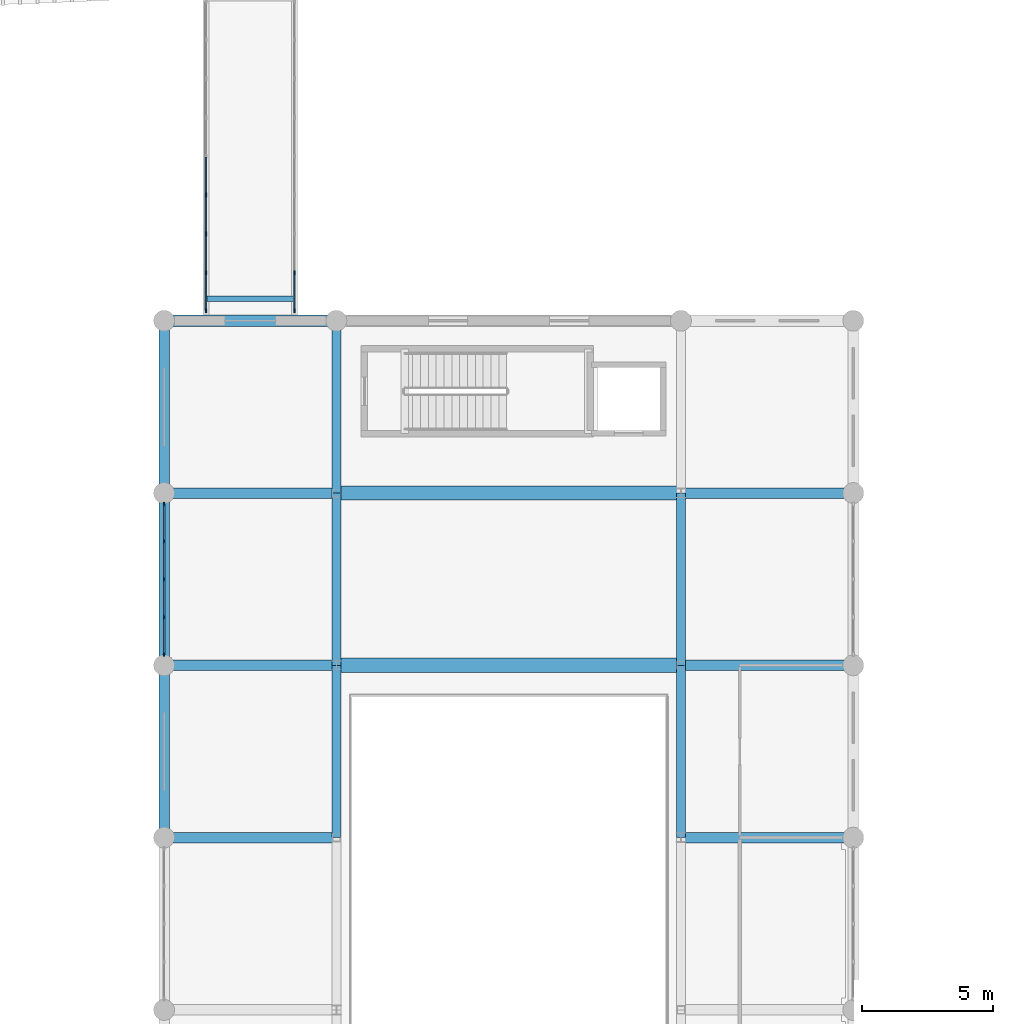
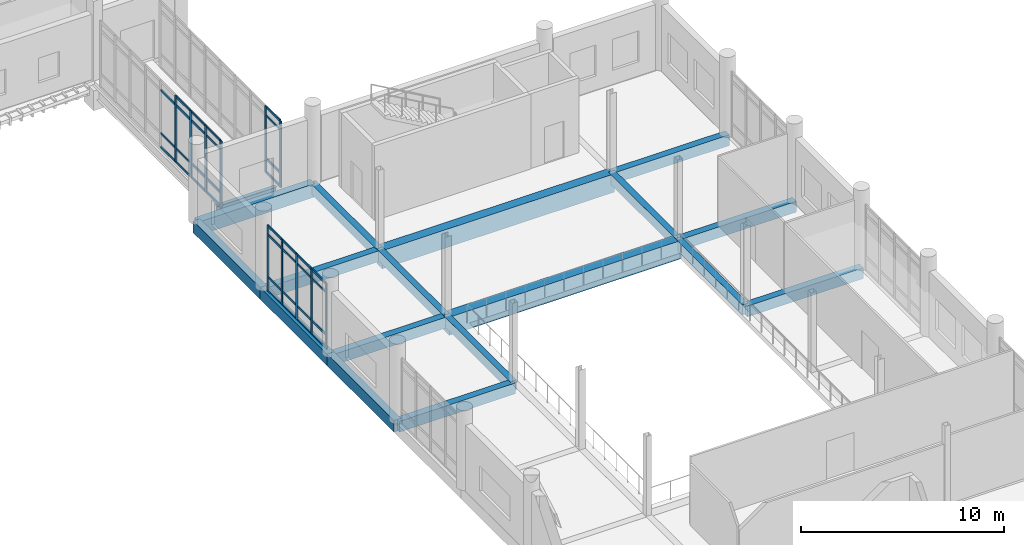
# One storey, part 23 of 101: 46 members, 18 beams, 3 elements without a shape of their own.
"""IFC4 building model written with IfcOpenShell, lengths in metres."""

from ifc_helpers import new_model, si_unit, direction, frame, origin, origin_2d, place, context, subcontext, project, spatial, rectangle, i_section, extrude, material, material_profile, profile_set, type_object, element, aggregate, save


model = new_model("IFC4")

# Units and contexts
model_context = context("Model", 3, precision=1e-05, world=origin(), true_north=direction((0.0, 1.0)))
body_context = subcontext(model_context, "Body", "Model", "MODEL_VIEW")
ifc_project = project(units=[si_unit("LENGTHUNIT", "METRE"), si_unit("AREAUNIT", "SQUARE_METRE"), si_unit("VOLUMEUNIT", "CUBIC_METRE"), si_unit("PLANEANGLEUNIT", "RADIAN"), si_unit("MASSUNIT", "GRAM", prefix="KILO")], contexts=[model_context])

# Site, building, storey
site_placement = place(None, origin())
site = spatial("IfcSite", under=ifc_project, at=site_placement, CompositionType="ELEMENT")
building_placement = place(site_placement, origin())
building = spatial("IfcBuilding", under=site, at=building_placement, Name="Dornvale Research Institute", CompositionType="ELEMENT")
storey_placement = place(building_placement, frame((0.0, 0.0, 10.199951171875)))
storey = spatial("IfcBuildingStorey", under=building, at=storey_placement, Name="L02", CompositionType="ELEMENT", Elevation=10.199951171875)

# Beams
ifc_material_1 = material(Name="Concrete f'c 45 MPa (C35/45)", Category="concrete")
ifc_material_profile_1 = material_profile(ifc_material_1, rectangle(XDim=0.35009765625, YDim=0.60009765625, at=origin_2d()), Name="RC 350x600")
ifc_profile_set_1 = profile_set([ifc_material_profile_1], Name="Concrete f'c 45 MPa (C35/45)")
beam_type_1 = type_object("IfcBeamType", Name="Beam_RC350x600_Floor", PredefinedType="BEAM", material=ifc_profile_set_1)
beam_1_placement = place(storey_placement, frame((46.199951171875, 66.0, -0.300048828125), z_axis=(0.0, 1.0, 0.0), x_axis=(-1.0, 0.0, 0.0)))
element("IfcBeam", 1, at=beam_1_placement, inside=storey, type_object=beam_type_1, Name="L02 transverse girder #816", PredefinedType="BEAM", context=body_context, shape_type="SweptSolid", body=[
    extrude(rectangle(XDim=0.35009765625, YDim=0.60009765625, at=origin_2d()), origin(), (0.0, 0.0, 1.0), 6.60009765625),
])
beam_2_placement = place(storey_placement, frame((46.199951171875, 72.60009765625, -0.300048828125), z_axis=(0.0, 1.0, 0.0), x_axis=(-1.0, 0.0, 0.0)))
element("IfcBeam", 2, at=beam_2_placement, inside=storey, type_object=beam_type_1, Name="L02 transverse girder #817", PredefinedType="BEAM", context=body_context, shape_type="SweptSolid", body=[
    extrude(rectangle(XDim=0.35009765625, YDim=0.60009765625, at=origin_2d()), origin(), (0.0, 0.0, 1.0), 6.599853515625),
])
for number, where, z_axis, x_axis, name in (
    (3, (46.199951171875, 79.199951171875, -0.300048828125), (0.0, 1.0, 0.0), (-1.0, 0.0, 0.0), "L02 transverse girder #818"),
    (4, (59.39990234375, 66.0, -0.300048828125), (0.0, 1.0, 0.0), (-1.0, 0.0, 0.0), "L02 transverse girder #823"),
):
    element("IfcBeam", number, at=place(storey_placement, frame(where, z_axis=z_axis, x_axis=x_axis)), inside=storey, type_object=beam_type_1, Name=name, PredefinedType="BEAM", context=body_context, shape_type="SweptSolid", body=[
        extrude(rectangle(XDim=0.35009765625, YDim=0.60009765625, at=origin_2d()), origin(), (0.0, 0.0, 1.0), 6.60009765625),
    ])
beam_3_placement = place(storey_placement, frame((59.39990234375, 72.60009765625, -0.300048828125), z_axis=(0.0, 1.0, 0.0), x_axis=(-1.0, 0.0, 0.0)))
element("IfcBeam", 5, at=beam_3_placement, inside=storey, type_object=beam_type_1, Name="L02 transverse girder #824", PredefinedType="BEAM", context=body_context, shape_type="SweptSolid", body=[
    extrude(rectangle(XDim=0.35009765625, YDim=0.60009765625, at=origin_2d()), origin(), (0.0, 0.0, 1.0), 6.599853515625),
])
ifc_material_2 = material(Name="Concrete f'c 45 MPa (C35/45)", Category="concrete")
ifc_material_profile_2 = material_profile(ifc_material_2, rectangle(XDim=0.39990234375, YDim=0.64990234375, at=origin_2d()), Name="RC 400x650")
ifc_profile_set_2 = profile_set([ifc_material_profile_2], Name="Concrete f'c 45 MPa (C35/45)")
beam_type_2 = type_object("IfcBeamType", Name="Beam_RC400x650_Floor", PredefinedType="BEAM", material=ifc_profile_set_2)
beam_4_placement = place(storey_placement, frame((39.60009765625, 66.0, -0.324951171875), z_axis=(1.0, 0.0, 0.0), x_axis=(0.0, 1.0, 0.0)))
element("IfcBeam", 6, at=beam_4_placement, inside=storey, type_object=beam_type_2, Name="L02 primary girder #794", PredefinedType="BEAM", context=body_context, shape_type="SweptSolid", body=[
    extrude(rectangle(XDim=0.39990234375, YDim=0.64990234375, at=origin_2d()), origin(), (0.0, 0.0, 1.0), 6.599853515625),
])
beam_5_placement = place(storey_placement, frame((59.39990234375, 66.0, -0.324951171875), z_axis=(1.0, 0.0, 0.0), x_axis=(0.0, 1.0, 0.0)))
element("IfcBeam", 7, at=beam_5_placement, inside=storey, type_object=beam_type_2, Name="L02 primary girder #795", PredefinedType="BEAM", context=body_context, shape_type="SweptSolid", body=[
    extrude(rectangle(XDim=0.39990234375, YDim=0.64990234375, at=origin_2d()), origin(), (0.0, 0.0, 1.0), 6.60009765625),
])
beam_6_placement = place(storey_placement, frame((39.60009765625, 72.60009765625, -0.324951171875), z_axis=(1.0, 0.0, 0.0), x_axis=(0.0, 1.0, 0.0)))
element("IfcBeam", 8, at=beam_6_placement, inside=storey, type_object=beam_type_2, Name="L02 primary girder #796", PredefinedType="BEAM", context=body_context, shape_type="SweptSolid", body=[
    extrude(rectangle(XDim=0.39990234375, YDim=0.64990234375, at=origin_2d()), origin(), (0.0, 0.0, 1.0), 6.599853515625),
])
beam_7_placement = place(storey_placement, frame((59.39990234375, 72.60009765625, -0.324951171875), z_axis=(1.0, 0.0, 0.0), x_axis=(0.0, 1.0, 0.0)))
element("IfcBeam", 9, at=beam_7_placement, inside=storey, type_object=beam_type_2, Name="L02 primary girder #798", PredefinedType="BEAM", context=body_context, shape_type="SweptSolid", body=[
    extrude(rectangle(XDim=0.39990234375, YDim=0.64990234375, at=origin_2d()), origin(), (0.0, 0.0, 1.0), 6.60009765625),
])
beam_8_placement = place(storey_placement, frame((39.60009765625, 79.199951171875, -0.324951171875), z_axis=(1.0, 0.0, 0.0), x_axis=(0.0, 1.0, 0.0)))
element("IfcBeam", 10, at=beam_8_placement, inside=storey, type_object=beam_type_2, Name="L02 primary girder #799", PredefinedType="BEAM", context=body_context, shape_type="SweptSolid", body=[
    extrude(rectangle(XDim=0.39990234375, YDim=0.64990234375, at=origin_2d()), origin(), (0.0, 0.0, 1.0), 6.599853515625),
])
beam_9_placement = place(storey_placement, frame((59.39990234375, 79.199951171875, -0.324951171875), z_axis=(1.0, 0.0, 0.0), x_axis=(0.0, 1.0, 0.0)))
element("IfcBeam", 11, at=beam_9_placement, inside=storey, type_object=beam_type_2, Name="L02 primary girder #801", PredefinedType="BEAM", context=body_context, shape_type="SweptSolid", body=[
    extrude(rectangle(XDim=0.39990234375, YDim=0.64990234375, at=origin_2d()), origin(), (0.0, 0.0, 1.0), 6.60009765625),
])
ifc_material_3 = material(Name="Concrete f'c 45 MPa (C35/45)", Category="concrete")
ifc_material_profile_3 = material_profile(ifc_material_3, rectangle(XDim=0.550048828125, YDim=1.10009765625, at=origin_2d()), Name="RC 550x1100")
ifc_profile_set_3 = profile_set([ifc_material_profile_3], Name="Concrete f'c 45 MPa (C35/45)")
beam_type_3 = type_object("IfcBeamType", Name="Beam_RC550x1100_Girder", PredefinedType="BEAM", material=ifc_profile_set_3)
for number, where, z_axis, x_axis, name in (
    (12, (46.199951171875, 72.60009765625, -0.550048828125), (1.0, 0.0, 0.0), (0.0, 1.0, 0.0), "L02 primary girder #797"),
    (13, (46.199951171875, 79.199951171875, -0.550048828125), (1.0, 0.0, 0.0), (0.0, 1.0, 0.0), "L02 primary girder #800"),
):
    element("IfcBeam", number, at=place(storey_placement, frame(where, z_axis=z_axis, x_axis=x_axis)), inside=storey, type_object=beam_type_3, Name=name, PredefinedType="BEAM", context=body_context, shape_type="SweptSolid", body=[
        extrude(rectangle(XDim=0.550048828125, YDim=1.10009765625, at=origin_2d()), origin(), (0.0, 0.0, 1.0), 13.199951171875),
    ])
ifc_material_4 = material(Name="Steel ASTM A992 Grade 50", Category="steel")
ifc_material_profile_4 = material_profile(ifc_material_4, i_section(OverallWidth=0.2099609375, OverallDepth=0.535888671875, WebThickness=0.010986328125, FlangeThickness=0.017333984375, at=origin_2d()), Name="W21X68")
ifc_profile_set_4 = profile_set([ifc_material_profile_4], Name="Steel ASTM A992 Grade 50")
beam_type_4 = type_object("IfcBeamType", Name="Beam_Steel_W21X68", PredefinedType="BEAM", material=ifc_profile_set_4)
beam_10_placement = place(storey_placement, frame((41.199951171875, 86.64990234375, -0.488037109375), z_axis=(1.0, 0.0, 0.0), x_axis=(0.0, 1.0, 0.0)))
element("IfcBeam", 14, at=beam_10_placement, inside=storey, type_object=beam_type_4, Name="L02 BR-4 south cross beam #2023", PredefinedType="BEAM", context=body_context, shape_type="SweptSolid", body=[
    extrude(i_section(OverallWidth=0.2099609375, OverallDepth=0.535888671875, WebThickness=0.010986328125, FlangeThickness=0.017333984375, at=origin_2d()), origin(), (0.0, 0.0, 1.0), 3.400146484375),
])

# Curtain wall, members
ifc_material_5 = material(Name="Low-E Argon Double Insulating Glazing Unit", Category="glass")
curtain_wall_type_1 = type_object("IfcCurtainWallType", Name="UnitisedCurtainWall_V2_5810x3950", PredefinedType="USERDEFINED", material=ifc_material_5)
curtain_wall_1_placement = place(storey_placement, origin())
curtain_wall_1 = element("IfcCurtainWall", 15, at=curtain_wall_1_placement, inside=storey, type_object=curtain_wall_type_1, Name="L02 V2 unitised curtain wall CW-02 #11", ObjectType="UNITISED CURTAIN WALL", PredefinedType="USERDEFINED")
ifc_material_6 = material(Name="Anodized Aluminum AA 6063-T6 Thermally Broken Frame", Category="aluminium")
ifc_material_profile_5 = material_profile(ifc_material_6, rectangle(XDim=0.06494140625, YDim=0.1650390625, at=origin_2d()), Name="ALU MULLION 65x165")
ifc_profile_set_5 = profile_set([ifc_material_profile_5], Name="Anodized Aluminum AA 6063-T6 Thermally Broken Frame")
member_type_1 = type_object("IfcMemberType", Name="Mullion_Atrium_65x165", PredefinedType="MULLION", material=ifc_profile_set_5)
member_1_placement = place(storey_placement, frame((39.60009765625, 73.027587890625, 0.0), z_axis=(0.0, 0.0, 1.0), x_axis=(-1.0, 0.0, 0.0)))
member_1 = element("IfcMember", 16, at=member_1_placement, type_object=member_type_1, Name="CW-02 mullion 1", PredefinedType="MULLION", context=body_context, shape_type="SweptSolid", body=[
    extrude(rectangle(XDim=0.06494140625, YDim=0.1650390625, at=origin_2d()), origin(), (0.0, 0.0, 1.0), 3.949951171875),
])
member_2_placement = place(storey_placement, frame((39.60009765625, 74.447509765625, 0.0), z_axis=(0.0, 0.0, 1.0), x_axis=(-1.0, 0.0, 0.0)))
member_2 = element("IfcMember", 17, at=member_2_placement, type_object=member_type_1, Name="CW-02 mullion 2", PredefinedType="MULLION", context=body_context, shape_type="SweptSolid", body=[
    extrude(rectangle(XDim=0.06494140625, YDim=0.1650390625, at=origin_2d()), origin(), (0.0, 0.0, 1.0), 3.949951171875),
])
member_3_placement = place(storey_placement, frame((39.60009765625, 75.89990234375, 0.0), z_axis=(0.0, 0.0, 1.0), x_axis=(-1.0, 0.0, 0.0)))
member_3 = element("IfcMember", 18, at=member_3_placement, type_object=member_type_1, Name="CW-02 mullion 3", PredefinedType="MULLION", context=body_context, shape_type="SweptSolid", body=[
    extrude(rectangle(XDim=0.06494140625, YDim=0.1650390625, at=origin_2d()), origin(), (0.0, 0.0, 1.0), 3.949951171875),
])
member_4_placement = place(storey_placement, frame((39.60009765625, 77.3525390625, 0.0), z_axis=(0.0, 0.0, 1.0), x_axis=(-1.0, 0.0, 0.0)))
member_4 = element("IfcMember", 19, at=member_4_placement, type_object=member_type_1, Name="CW-02 mullion 4", PredefinedType="MULLION", context=body_context, shape_type="SweptSolid", body=[
    extrude(rectangle(XDim=0.06494140625, YDim=0.1650390625, at=origin_2d()), origin(), (0.0, 0.0, 1.0), 3.949951171875),
])
member_5_placement = place(storey_placement, frame((39.60009765625, 78.7724609375, 0.0), z_axis=(0.0, 0.0, 1.0), x_axis=(-1.0, 0.0, 0.0)))
member_5 = element("IfcMember", 20, at=member_5_placement, type_object=member_type_1, Name="CW-02 mullion 5", PredefinedType="MULLION", context=body_context, shape_type="SweptSolid", body=[
    extrude(rectangle(XDim=0.06494140625, YDim=0.1650390625, at=origin_2d()), origin(), (0.0, 0.0, 1.0), 3.949951171875),
])

ifc_material_7 = material(Name="Low-E Argon Double Insulating Glazing Unit", Category="glass")
curtain_wall_type_2 = type_object("IfcCurtainWallType", Name="UnitisedCurtainWall_V2_11900x4000", PredefinedType="USERDEFINED", material=ifc_material_7)
curtain_wall_2_placement = place(storey_placement, origin())
curtain_wall_2 = element("IfcCurtainWall", 21, at=curtain_wall_2_placement, inside=storey, type_object=curtain_wall_type_2, Name="L02 V2 unitised curtain wall CW-40 #209", ObjectType="UNITISED CURTAIN WALL", PredefinedType="USERDEFINED")
member_6_placement = place(storey_placement, frame((41.199951171875, 86.1826171875, 0.0), z_axis=(0.0, 0.0, 1.0), x_axis=(-1.0, 0.0, 0.0)))
member_6 = element("IfcMember", 22, at=member_6_placement, type_object=member_type_1, Name="CW-40 mullion 1", PredefinedType="MULLION", context=body_context, shape_type="SweptSolid", body=[
    extrude(rectangle(XDim=0.06494140625, YDim=0.1650390625, at=origin_2d()), origin(), (0.0, 0.0, 1.0), 4.0),
])
member_7_placement = place(storey_placement, frame((41.199951171875, 87.637451171875, 0.0), z_axis=(0.0, 0.0, 1.0), x_axis=(-1.0, 0.0, 0.0)))
member_7 = element("IfcMember", 23, at=member_7_placement, type_object=member_type_1, Name="CW-40 mullion 2", PredefinedType="MULLION", context=body_context, shape_type="SweptSolid", body=[
    extrude(rectangle(XDim=0.06494140625, YDim=0.1650390625, at=origin_2d()), origin(), (0.0, 0.0, 1.0), 4.0),
])
member_8_placement = place(storey_placement, frame((41.199951171875, 89.125, 0.0), z_axis=(0.0, 0.0, 1.0), x_axis=(-1.0, 0.0, 0.0)))
member_8 = element("IfcMember", 24, at=member_8_placement, type_object=member_type_1, Name="CW-40 mullion 3", PredefinedType="MULLION", context=body_context, shape_type="SweptSolid", body=[
    extrude(rectangle(XDim=0.06494140625, YDim=0.1650390625, at=origin_2d()), origin(), (0.0, 0.0, 1.0), 4.0),
])
member_9_placement = place(storey_placement, frame((41.199951171875, 90.612548828125, 0.0), z_axis=(0.0, 0.0, 1.0), x_axis=(-1.0, 0.0, 0.0)))
member_9 = element("IfcMember", 25, at=member_9_placement, type_object=member_type_1, Name="CW-40 mullion 4", PredefinedType="MULLION", context=body_context, shape_type="SweptSolid", body=[
    extrude(rectangle(XDim=0.06494140625, YDim=0.1650390625, at=origin_2d()), origin(), (0.0, 0.0, 1.0), 4.0),
])

curtain_wall_3_placement = place(storey_placement, origin())
curtain_wall_3 = element("IfcCurtainWall", 26, at=curtain_wall_3_placement, inside=storey, type_object=curtain_wall_type_2, Name="L02 V2 unitised curtain wall CW-40 #210", ObjectType="UNITISED CURTAIN WALL", PredefinedType="USERDEFINED")
member_10_placement = place(storey_placement, frame((44.60009765625, 87.637451171875, 0.0), z_axis=(0.0, 0.0, 1.0), x_axis=(1.0, 0.0, 0.0)))
member_10 = element("IfcMember", 27, at=member_10_placement, type_object=member_type_1, Name="CW-40 mullion 8", PredefinedType="MULLION", context=body_context, shape_type="SweptSolid", body=[
    extrude(rectangle(XDim=0.06494140625, YDim=0.1650390625, at=origin_2d()), origin(), (0.0, 0.0, 1.0), 4.0),
])
member_11_placement = place(storey_placement, frame((44.60009765625, 86.1826171875, 0.0), z_axis=(0.0, 0.0, 1.0), x_axis=(1.0, 0.0, 0.0)))
member_11 = element("IfcMember", 28, at=member_11_placement, type_object=member_type_1, Name="CW-40 mullion 9", PredefinedType="MULLION", context=body_context, shape_type="SweptSolid", body=[
    extrude(rectangle(XDim=0.06494140625, YDim=0.1650390625, at=origin_2d()), origin(), (0.0, 0.0, 1.0), 4.0),
])

# Beams
ifc_material_8 = material(Name="Concrete f'c 45 MPa (C35/45)", Category="concrete")
ifc_material_profile_6 = material_profile(ifc_material_8, rectangle(XDim=0.39990234375, YDim=0.699951171875, at=origin_2d()), Name="RC 400x700")
ifc_profile_set_6 = profile_set([ifc_material_profile_6], Name="Concrete f'c 45 MPa (C35/45)")
beam_type_5 = type_object("IfcBeamType", Name="Spandrel_RC400x700_Ext", PredefinedType="SPANDREL", material=ifc_profile_set_6)
beam_11_placement = place(storey_placement, frame((39.60009765625, 66.0, -0.349853515625), z_axis=(0.0, 1.0, 0.0), x_axis=(-1.0, 0.0, 0.0)))
element("IfcBeam", 29, at=beam_11_placement, inside=storey, type_object=beam_type_5, Name="L02 perimeter spandrel #809", PredefinedType="SPANDREL", context=body_context, shape_type="SweptSolid", body=[
    extrude(rectangle(XDim=0.39990234375, YDim=0.699951171875, at=origin_2d()), origin(), (0.0, 0.0, 1.0), 6.60009765625),
])
beam_12_placement = place(storey_placement, frame((39.60009765625, 72.60009765625, -0.349853515625), z_axis=(0.0, 1.0, 0.0), x_axis=(-1.0, 0.0, 0.0)))
element("IfcBeam", 30, at=beam_12_placement, inside=storey, type_object=beam_type_5, Name="L02 perimeter spandrel #810", PredefinedType="SPANDREL", context=body_context, shape_type="SweptSolid", body=[
    extrude(rectangle(XDim=0.39990234375, YDim=0.699951171875, at=origin_2d()), origin(), (0.0, 0.0, 1.0), 6.599853515625),
])
beam_13_placement = place(storey_placement, frame((39.60009765625, 79.199951171875, -0.349853515625), z_axis=(0.0, 1.0, 0.0), x_axis=(-1.0, 0.0, 0.0)))
element("IfcBeam", 31, at=beam_13_placement, inside=storey, type_object=beam_type_5, Name="L02 perimeter spandrel #811", PredefinedType="SPANDREL", context=body_context, shape_type="SweptSolid", body=[
    extrude(rectangle(XDim=0.39990234375, YDim=0.699951171875, at=origin_2d()), origin(), (0.0, 0.0, 1.0), 6.60009765625),
])
ifc_material_9 = material(Name="Concrete f'c 45 MPa (C35/45)", Category="concrete")
ifc_material_profile_7 = material_profile(ifc_material_9, rectangle(XDim=0.449951171875, YDim=0.800048828125, at=origin_2d()), Name="RC 450x800")
ifc_profile_set_7 = profile_set([ifc_material_profile_7], Name="Concrete f'c 45 MPa (C35/45)")
beam_type_6 = type_object("IfcBeamType", Name="Spandrel_RC450x800_Ext", PredefinedType="SPANDREL", material=ifc_profile_set_7)
beam_14_placement = place(storey_placement, frame((39.60009765625, 85.800048828125, -0.39990234375), z_axis=(1.0, 0.0, 0.0), x_axis=(0.0, 1.0, 0.0)))
element("IfcBeam", 32, at=beam_14_placement, inside=storey, type_object=beam_type_6, Name="L02 perimeter spandrel #802", PredefinedType="SPANDREL", context=body_context, shape_type="SweptSolid", body=[
    extrude(rectangle(XDim=0.449951171875, YDim=0.800048828125, at=origin_2d()), origin(), (0.0, 0.0, 1.0), 6.599853515625),
])

# Member
ifc_material_10 = material(Name="Anodized Aluminum AA 6063-T6 Thermally Broken Frame", Category="aluminium")
ifc_material_profile_8 = material_profile(ifc_material_10, rectangle(XDim=0.06494140625, YDim=0.135009765625, at=origin_2d()), Name="ALU TRANSOM 65x135")
ifc_profile_set_8 = profile_set([ifc_material_profile_8], Name="Anodized Aluminum AA 6063-T6 Thermally Broken Frame")
member_type_2 = type_object("IfcMemberType", Name="Transom_CW_65x135", PredefinedType="USERDEFINED", material=ifc_profile_set_8)
member_12_placement = place(storey_placement, frame((39.60009765625, 73.06005859375, 0.032470703125), z_axis=(0.0, 1.0, 0.0), x_axis=(-1.0, 0.0, 0.0)))
member_12 = element("IfcMember", 33, at=member_12_placement, type_object=member_type_2, Name="CW-02 transom 1.1", ObjectType="TRANSOM", PredefinedType="USERDEFINED", context=body_context, shape_type="SweptSolid", body=[
    extrude(rectangle(XDim=0.06494140625, YDim=0.135009765625, at=origin_2d()), origin(), (0.0, 0.0, 1.0), 1.35498046875),
])

member_13_placement = place(storey_placement, frame((39.60009765625, 73.06005859375, 0.85009765625), z_axis=(0.0, 1.0, 0.0), x_axis=(-1.0, 0.0, 0.0)))
member_13 = element("IfcMember", 34, at=member_13_placement, type_object=member_type_2, Name="CW-02 transom 1.2", ObjectType="TRANSOM", PredefinedType="USERDEFINED", context=body_context, shape_type="SweptSolid", body=[
    extrude(rectangle(XDim=0.06494140625, YDim=0.135009765625, at=origin_2d()), origin(), (0.0, 0.0, 1.0), 1.35498046875),
])

member_14_placement = place(storey_placement, frame((39.60009765625, 73.06005859375, 3.400146484375), z_axis=(0.0, 1.0, 0.0), x_axis=(-1.0, 0.0, 0.0)))
member_14 = element("IfcMember", 35, at=member_14_placement, type_object=member_type_2, Name="CW-02 transom 1.3", ObjectType="TRANSOM", PredefinedType="USERDEFINED", context=body_context, shape_type="SweptSolid", body=[
    extrude(rectangle(XDim=0.06494140625, YDim=0.135009765625, at=origin_2d()), origin(), (0.0, 0.0, 1.0), 1.35498046875),
])

member_15_placement = place(storey_placement, frame((39.60009765625, 73.06005859375, 3.91748046875), z_axis=(0.0, 1.0, 0.0), x_axis=(-1.0, 0.0, 0.0)))
member_15 = element("IfcMember", 36, at=member_15_placement, type_object=member_type_2, Name="CW-02 transom 1.4", ObjectType="TRANSOM", PredefinedType="USERDEFINED", context=body_context, shape_type="SweptSolid", body=[
    extrude(rectangle(XDim=0.06494140625, YDim=0.135009765625, at=origin_2d()), origin(), (0.0, 0.0, 1.0), 1.35498046875),
])

member_16_placement = place(storey_placement, frame((39.60009765625, 74.47998046875, 0.032470703125), z_axis=(0.0, 1.0, 0.0), x_axis=(-1.0, 0.0, 0.0)))
member_16 = element("IfcMember", 37, at=member_16_placement, type_object=member_type_2, Name="CW-02 transom 2.1", ObjectType="TRANSOM", PredefinedType="USERDEFINED", context=body_context, shape_type="SweptSolid", body=[
    extrude(rectangle(XDim=0.06494140625, YDim=0.135009765625, at=origin_2d()), origin(), (0.0, 0.0, 1.0), 1.387451171875),
])

member_17_placement = place(storey_placement, frame((39.60009765625, 74.47998046875, 0.85009765625), z_axis=(0.0, 1.0, 0.0), x_axis=(-1.0, 0.0, 0.0)))
member_17 = element("IfcMember", 38, at=member_17_placement, type_object=member_type_2, Name="CW-02 transom 2.2", ObjectType="TRANSOM", PredefinedType="USERDEFINED", context=body_context, shape_type="SweptSolid", body=[
    extrude(rectangle(XDim=0.06494140625, YDim=0.135009765625, at=origin_2d()), origin(), (0.0, 0.0, 1.0), 1.387451171875),
])

member_18_placement = place(storey_placement, frame((39.60009765625, 74.47998046875, 3.400146484375), z_axis=(0.0, 1.0, 0.0), x_axis=(-1.0, 0.0, 0.0)))
member_18 = element("IfcMember", 39, at=member_18_placement, type_object=member_type_2, Name="CW-02 transom 2.3", ObjectType="TRANSOM", PredefinedType="USERDEFINED", context=body_context, shape_type="SweptSolid", body=[
    extrude(rectangle(XDim=0.06494140625, YDim=0.135009765625, at=origin_2d()), origin(), (0.0, 0.0, 1.0), 1.387451171875),
])

member_19_placement = place(storey_placement, frame((39.60009765625, 74.47998046875, 3.91748046875), z_axis=(0.0, 1.0, 0.0), x_axis=(-1.0, 0.0, 0.0)))
member_19 = element("IfcMember", 40, at=member_19_placement, type_object=member_type_2, Name="CW-02 transom 2.4", ObjectType="TRANSOM", PredefinedType="USERDEFINED", context=body_context, shape_type="SweptSolid", body=[
    extrude(rectangle(XDim=0.06494140625, YDim=0.135009765625, at=origin_2d()), origin(), (0.0, 0.0, 1.0), 1.387451171875),
])

member_20_placement = place(storey_placement, frame((39.60009765625, 75.9326171875, 0.032470703125), z_axis=(0.0, 1.0, 0.0), x_axis=(-1.0, 0.0, 0.0)))
member_20 = element("IfcMember", 41, at=member_20_placement, type_object=member_type_2, Name="CW-02 transom 3.1", ObjectType="TRANSOM", PredefinedType="USERDEFINED", context=body_context, shape_type="SweptSolid", body=[
    extrude(rectangle(XDim=0.06494140625, YDim=0.135009765625, at=origin_2d()), origin(), (0.0, 0.0, 1.0), 1.387451171875),
])

member_21_placement = place(storey_placement, frame((39.60009765625, 75.9326171875, 0.85009765625), z_axis=(0.0, 1.0, 0.0), x_axis=(-1.0, 0.0, 0.0)))
member_21 = element("IfcMember", 42, at=member_21_placement, type_object=member_type_2, Name="CW-02 transom 3.2", ObjectType="TRANSOM", PredefinedType="USERDEFINED", context=body_context, shape_type="SweptSolid", body=[
    extrude(rectangle(XDim=0.06494140625, YDim=0.135009765625, at=origin_2d()), origin(), (0.0, 0.0, 1.0), 1.387451171875),
])

member_22_placement = place(storey_placement, frame((39.60009765625, 75.9326171875, 3.400146484375), z_axis=(0.0, 1.0, 0.0), x_axis=(-1.0, 0.0, 0.0)))
member_22 = element("IfcMember", 43, at=member_22_placement, type_object=member_type_2, Name="CW-02 transom 3.3", ObjectType="TRANSOM", PredefinedType="USERDEFINED", context=body_context, shape_type="SweptSolid", body=[
    extrude(rectangle(XDim=0.06494140625, YDim=0.135009765625, at=origin_2d()), origin(), (0.0, 0.0, 1.0), 1.387451171875),
])

member_23_placement = place(storey_placement, frame((39.60009765625, 75.9326171875, 3.91748046875), z_axis=(0.0, 1.0, 0.0), x_axis=(-1.0, 0.0, 0.0)))
member_23 = element("IfcMember", 44, at=member_23_placement, type_object=member_type_2, Name="CW-02 transom 3.4", ObjectType="TRANSOM", PredefinedType="USERDEFINED", context=body_context, shape_type="SweptSolid", body=[
    extrude(rectangle(XDim=0.06494140625, YDim=0.135009765625, at=origin_2d()), origin(), (0.0, 0.0, 1.0), 1.387451171875),
])

member_24_placement = place(storey_placement, frame((39.60009765625, 77.385009765625, 0.032470703125), z_axis=(0.0, 1.0, 0.0), x_axis=(-1.0, 0.0, 0.0)))
member_24 = element("IfcMember", 45, at=member_24_placement, type_object=member_type_2, Name="CW-02 transom 4.1", ObjectType="TRANSOM", PredefinedType="USERDEFINED", context=body_context, shape_type="SweptSolid", body=[
    extrude(rectangle(XDim=0.06494140625, YDim=0.135009765625, at=origin_2d()), origin(), (0.0, 0.0, 1.0), 1.35498046875),
])

member_25_placement = place(storey_placement, frame((39.60009765625, 77.385009765625, 0.85009765625), z_axis=(0.0, 1.0, 0.0), x_axis=(-1.0, 0.0, 0.0)))
member_25 = element("IfcMember", 46, at=member_25_placement, type_object=member_type_2, Name="CW-02 transom 4.2", ObjectType="TRANSOM", PredefinedType="USERDEFINED", context=body_context, shape_type="SweptSolid", body=[
    extrude(rectangle(XDim=0.06494140625, YDim=0.135009765625, at=origin_2d()), origin(), (0.0, 0.0, 1.0), 1.35498046875),
])

member_26_placement = place(storey_placement, frame((39.60009765625, 77.385009765625, 3.400146484375), z_axis=(0.0, 1.0, 0.0), x_axis=(-1.0, 0.0, 0.0)))
member_26 = element("IfcMember", 47, at=member_26_placement, type_object=member_type_2, Name="CW-02 transom 4.3", ObjectType="TRANSOM", PredefinedType="USERDEFINED", context=body_context, shape_type="SweptSolid", body=[
    extrude(rectangle(XDim=0.06494140625, YDim=0.135009765625, at=origin_2d()), origin(), (0.0, 0.0, 1.0), 1.35498046875),
])

member_27_placement = place(storey_placement, frame((39.60009765625, 77.385009765625, 3.91748046875), z_axis=(0.0, 1.0, 0.0), x_axis=(-1.0, 0.0, 0.0)))
member_27 = element("IfcMember", 48, at=member_27_placement, type_object=member_type_2, Name="CW-02 transom 4.4", ObjectType="TRANSOM", PredefinedType="USERDEFINED", context=body_context, shape_type="SweptSolid", body=[
    extrude(rectangle(XDim=0.06494140625, YDim=0.135009765625, at=origin_2d()), origin(), (0.0, 0.0, 1.0), 1.35498046875),
])

aggregate(curtain_wall_1, [member_1, member_2, member_3, member_4, member_5, member_12, member_13, member_14, member_15, member_16, member_17, member_18, member_19, member_20, member_21, member_22, member_23, member_24, member_25, member_26, member_27])

member_28_placement = place(storey_placement, frame((41.199951171875, 86.215087890625, 0.032470703125), z_axis=(0.0, 1.0, 0.0), x_axis=(-1.0, 0.0, 0.0)))
member_28 = element("IfcMember", 49, at=member_28_placement, type_object=member_type_2, Name="CW-40 transom 1.1", ObjectType="TRANSOM", PredefinedType="USERDEFINED", context=body_context, shape_type="SweptSolid", body=[
    extrude(rectangle(XDim=0.06494140625, YDim=0.135009765625, at=origin_2d()), origin(), (0.0, 0.0, 1.0), 1.389892578125),
])

member_29_placement = place(storey_placement, frame((41.199951171875, 86.215087890625, 0.85009765625), z_axis=(0.0, 1.0, 0.0), x_axis=(-1.0, 0.0, 0.0)))
member_29 = element("IfcMember", 50, at=member_29_placement, type_object=member_type_2, Name="CW-40 transom 1.2", ObjectType="TRANSOM", PredefinedType="USERDEFINED", context=body_context, shape_type="SweptSolid", body=[
    extrude(rectangle(XDim=0.06494140625, YDim=0.135009765625, at=origin_2d()), origin(), (0.0, 0.0, 1.0), 1.389892578125),
])

member_30_placement = place(storey_placement, frame((41.199951171875, 86.215087890625, 3.449951171875), z_axis=(0.0, 1.0, 0.0), x_axis=(-1.0, 0.0, 0.0)))
member_30 = element("IfcMember", 51, at=member_30_placement, type_object=member_type_2, Name="CW-40 transom 1.3", ObjectType="TRANSOM", PredefinedType="USERDEFINED", context=body_context, shape_type="SweptSolid", body=[
    extrude(rectangle(XDim=0.06494140625, YDim=0.135009765625, at=origin_2d()), origin(), (0.0, 0.0, 1.0), 1.389892578125),
])

member_31_placement = place(storey_placement, frame((41.199951171875, 86.215087890625, 3.967529296875), z_axis=(0.0, 1.0, 0.0), x_axis=(-1.0, 0.0, 0.0)))
member_31 = element("IfcMember", 52, at=member_31_placement, type_object=member_type_2, Name="CW-40 transom 1.4", ObjectType="TRANSOM", PredefinedType="USERDEFINED", context=body_context, shape_type="SweptSolid", body=[
    extrude(rectangle(XDim=0.06494140625, YDim=0.135009765625, at=origin_2d()), origin(), (0.0, 0.0, 1.0), 1.389892578125),
])

member_32_placement = place(storey_placement, frame((41.199951171875, 87.669921875, 0.032470703125), z_axis=(0.0, 1.0, 0.0), x_axis=(-1.0, 0.0, 0.0)))
member_32 = element("IfcMember", 53, at=member_32_placement, type_object=member_type_2, Name="CW-40 transom 2.1", ObjectType="TRANSOM", PredefinedType="USERDEFINED", context=body_context, shape_type="SweptSolid", body=[
    extrude(rectangle(XDim=0.06494140625, YDim=0.135009765625, at=origin_2d()), origin(), (0.0, 0.0, 1.0), 1.422607421875),
])

member_33_placement = place(storey_placement, frame((41.199951171875, 87.669921875, 0.85009765625), z_axis=(0.0, 1.0, 0.0), x_axis=(-1.0, 0.0, 0.0)))
member_33 = element("IfcMember", 54, at=member_33_placement, type_object=member_type_2, Name="CW-40 transom 2.2", ObjectType="TRANSOM", PredefinedType="USERDEFINED", context=body_context, shape_type="SweptSolid", body=[
    extrude(rectangle(XDim=0.06494140625, YDim=0.135009765625, at=origin_2d()), origin(), (0.0, 0.0, 1.0), 1.422607421875),
])

member_34_placement = place(storey_placement, frame((41.199951171875, 87.669921875, 3.449951171875), z_axis=(0.0, 1.0, 0.0), x_axis=(-1.0, 0.0, 0.0)))
member_34 = element("IfcMember", 55, at=member_34_placement, type_object=member_type_2, Name="CW-40 transom 2.3", ObjectType="TRANSOM", PredefinedType="USERDEFINED", context=body_context, shape_type="SweptSolid", body=[
    extrude(rectangle(XDim=0.06494140625, YDim=0.135009765625, at=origin_2d()), origin(), (0.0, 0.0, 1.0), 1.422607421875),
])

member_35_placement = place(storey_placement, frame((41.199951171875, 87.669921875, 3.967529296875), z_axis=(0.0, 1.0, 0.0), x_axis=(-1.0, 0.0, 0.0)))
member_35 = element("IfcMember", 56, at=member_35_placement, type_object=member_type_2, Name="CW-40 transom 2.4", ObjectType="TRANSOM", PredefinedType="USERDEFINED", context=body_context, shape_type="SweptSolid", body=[
    extrude(rectangle(XDim=0.06494140625, YDim=0.135009765625, at=origin_2d()), origin(), (0.0, 0.0, 1.0), 1.422607421875),
])

member_36_placement = place(storey_placement, frame((41.199951171875, 89.157470703125, 0.032470703125), z_axis=(0.0, 1.0, 0.0), x_axis=(-1.0, 0.0, 0.0)))
member_36 = element("IfcMember", 57, at=member_36_placement, type_object=member_type_2, Name="CW-40 transom 3.1", ObjectType="TRANSOM", PredefinedType="USERDEFINED", context=body_context, shape_type="SweptSolid", body=[
    extrude(rectangle(XDim=0.06494140625, YDim=0.135009765625, at=origin_2d()), origin(), (0.0, 0.0, 1.0), 1.422607421875),
])

member_37_placement = place(storey_placement, frame((41.199951171875, 89.157470703125, 0.85009765625), z_axis=(0.0, 1.0, 0.0), x_axis=(-1.0, 0.0, 0.0)))
member_37 = element("IfcMember", 58, at=member_37_placement, type_object=member_type_2, Name="CW-40 transom 3.2", ObjectType="TRANSOM", PredefinedType="USERDEFINED", context=body_context, shape_type="SweptSolid", body=[
    extrude(rectangle(XDim=0.06494140625, YDim=0.135009765625, at=origin_2d()), origin(), (0.0, 0.0, 1.0), 1.422607421875),
])

member_38_placement = place(storey_placement, frame((41.199951171875, 89.157470703125, 3.449951171875), z_axis=(0.0, 1.0, 0.0), x_axis=(-1.0, 0.0, 0.0)))
member_38 = element("IfcMember", 59, at=member_38_placement, type_object=member_type_2, Name="CW-40 transom 3.3", ObjectType="TRANSOM", PredefinedType="USERDEFINED", context=body_context, shape_type="SweptSolid", body=[
    extrude(rectangle(XDim=0.06494140625, YDim=0.135009765625, at=origin_2d()), origin(), (0.0, 0.0, 1.0), 1.422607421875),
])

member_39_placement = place(storey_placement, frame((41.199951171875, 89.157470703125, 3.967529296875), z_axis=(0.0, 1.0, 0.0), x_axis=(-1.0, 0.0, 0.0)))
member_39 = element("IfcMember", 60, at=member_39_placement, type_object=member_type_2, Name="CW-40 transom 3.4", ObjectType="TRANSOM", PredefinedType="USERDEFINED", context=body_context, shape_type="SweptSolid", body=[
    extrude(rectangle(XDim=0.06494140625, YDim=0.135009765625, at=origin_2d()), origin(), (0.0, 0.0, 1.0), 1.422607421875),
])

member_40_placement = place(storey_placement, frame((41.199951171875, 90.64501953125, 0.032470703125), z_axis=(0.0, 1.0, 0.0), x_axis=(-1.0, 0.0, 0.0)))
member_40 = element("IfcMember", 61, at=member_40_placement, type_object=member_type_2, Name="CW-40 transom 4.1", ObjectType="TRANSOM", PredefinedType="USERDEFINED", context=body_context, shape_type="SweptSolid", body=[
    extrude(rectangle(XDim=0.06494140625, YDim=0.135009765625, at=origin_2d()), origin(), (0.0, 0.0, 1.0), 1.42236328125),
])

member_41_placement = place(storey_placement, frame((41.199951171875, 90.64501953125, 0.85009765625), z_axis=(0.0, 1.0, 0.0), x_axis=(-1.0, 0.0, 0.0)))
member_41 = element("IfcMember", 62, at=member_41_placement, type_object=member_type_2, Name="CW-40 transom 4.2", ObjectType="TRANSOM", PredefinedType="USERDEFINED", context=body_context, shape_type="SweptSolid", body=[
    extrude(rectangle(XDim=0.06494140625, YDim=0.135009765625, at=origin_2d()), origin(), (0.0, 0.0, 1.0), 1.42236328125),
])

member_42_placement = place(storey_placement, frame((41.199951171875, 90.64501953125, 3.449951171875), z_axis=(0.0, 1.0, 0.0), x_axis=(-1.0, 0.0, 0.0)))
member_42 = element("IfcMember", 63, at=member_42_placement, type_object=member_type_2, Name="CW-40 transom 4.3", ObjectType="TRANSOM", PredefinedType="USERDEFINED", context=body_context, shape_type="SweptSolid", body=[
    extrude(rectangle(XDim=0.06494140625, YDim=0.135009765625, at=origin_2d()), origin(), (0.0, 0.0, 1.0), 1.42236328125),
])

aggregate(curtain_wall_2, [member_6, member_7, member_8, member_9, member_28, member_29, member_30, member_31, member_32, member_33, member_34, member_35, member_36, member_37, member_38, member_39, member_40, member_41, member_42])

member_43_placement = place(storey_placement, frame((44.60009765625, 87.60498046875, 0.032470703125), z_axis=(0.0, -1.0, 0.0), x_axis=(1.0, 0.0, 0.0)))
member_43 = element("IfcMember", 64, at=member_43_placement, type_object=member_type_2, Name="CW-40 transom 8.1", ObjectType="TRANSOM", PredefinedType="USERDEFINED", context=body_context, shape_type="SweptSolid", body=[
    extrude(rectangle(XDim=0.06494140625, YDim=0.135009765625, at=origin_2d()), origin(), (0.0, 0.0, 1.0), 1.389892578125),
])

member_44_placement = place(storey_placement, frame((44.60009765625, 87.60498046875, 0.85009765625), z_axis=(0.0, -1.0, 0.0), x_axis=(1.0, 0.0, 0.0)))
member_44 = element("IfcMember", 65, at=member_44_placement, type_object=member_type_2, Name="CW-40 transom 8.2", ObjectType="TRANSOM", PredefinedType="USERDEFINED", context=body_context, shape_type="SweptSolid", body=[
    extrude(rectangle(XDim=0.06494140625, YDim=0.135009765625, at=origin_2d()), origin(), (0.0, 0.0, 1.0), 1.389892578125),
])

member_45_placement = place(storey_placement, frame((44.60009765625, 87.60498046875, 3.449951171875), z_axis=(0.0, -1.0, 0.0), x_axis=(1.0, 0.0, 0.0)))
member_45 = element("IfcMember", 66, at=member_45_placement, type_object=member_type_2, Name="CW-40 transom 8.3", ObjectType="TRANSOM", PredefinedType="USERDEFINED", context=body_context, shape_type="SweptSolid", body=[
    extrude(rectangle(XDim=0.06494140625, YDim=0.135009765625, at=origin_2d()), origin(), (0.0, 0.0, 1.0), 1.389892578125),
])

member_46_placement = place(storey_placement, frame((44.60009765625, 87.60498046875, 3.967529296875), z_axis=(0.0, -1.0, 0.0), x_axis=(1.0, 0.0, 0.0)))
member_46 = element("IfcMember", 67, at=member_46_placement, type_object=member_type_2, Name="CW-40 transom 8.4", ObjectType="TRANSOM", PredefinedType="USERDEFINED", context=body_context, shape_type="SweptSolid", body=[
    extrude(rectangle(XDim=0.06494140625, YDim=0.135009765625, at=origin_2d()), origin(), (0.0, 0.0, 1.0), 1.389892578125),
])

aggregate(curtain_wall_3, [member_10, member_11, member_43, member_44, member_45, member_46])

save(model, "model.ifc")
